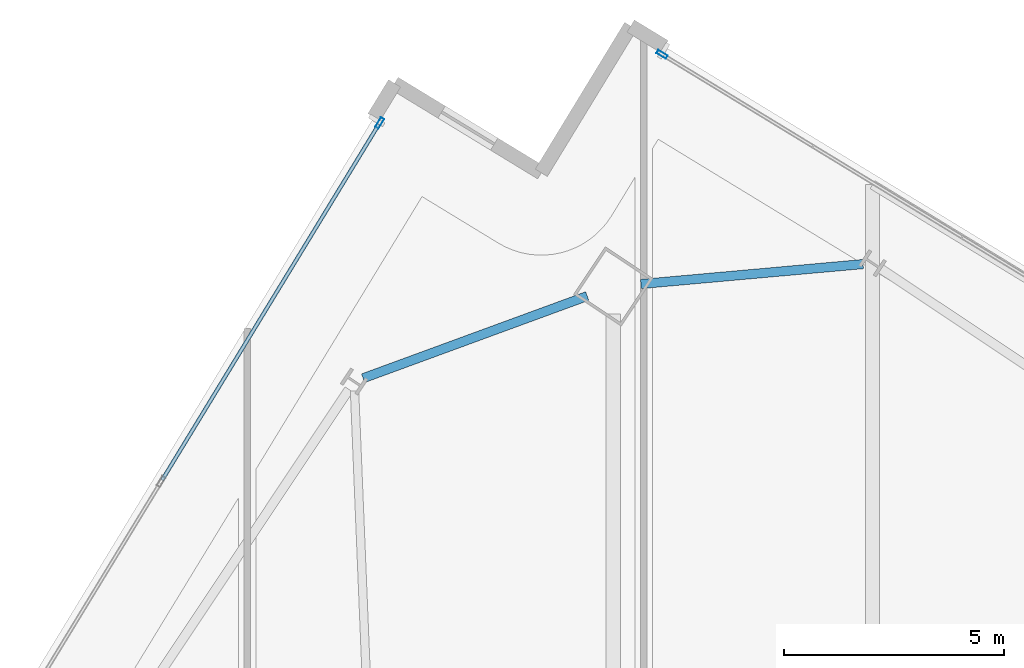
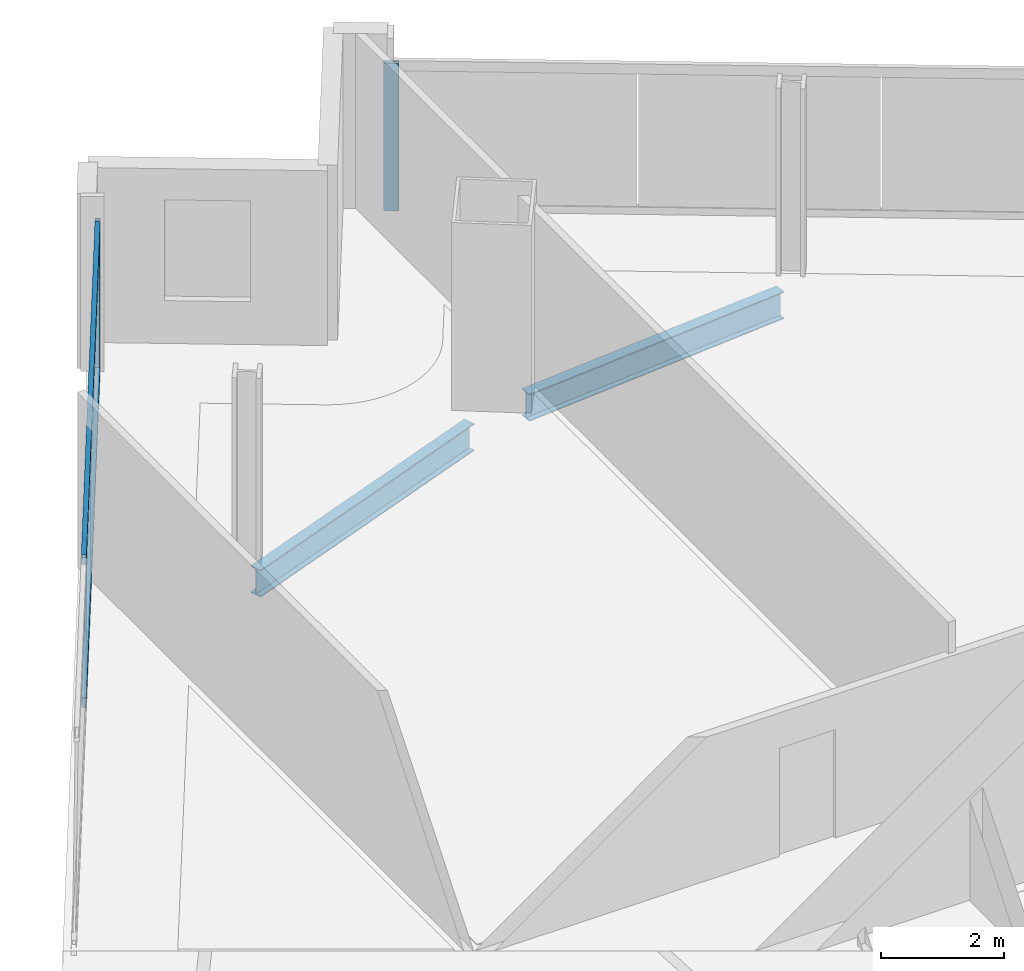
# One storey, part 15 of 28: 4 members, 2 beams, 2 elements without a shape of their own.
"""IFC4 building model written with IfcOpenShell, lengths in metres."""

import ifcopenshell
import ifcopenshell.guid

model = None  # the IFC model being written
_history = None  # IfcOwnerHistory: only IFC2X3 demands one
_inside = {}  # id of a spatial element -> (the spatial element, [elements in it])
_under = {}  # id of a project, library or spatial element -> (it, [spatial elements below it])
_declared = {}  # id of a project -> (the project, [libraries it declares])
_typed = {}  # id of a type object -> (the type object, [elements of that type])
_made_of = {}  # id of a material, layer set ... -> (it, [elements and type objects made of it])


def new_model(schema):
    """Start an empty IFC model of exactly this schema.

    Asked for "IFC4X3", IfcOpenShell would pick the latest addendum, in which some entities
    have other attributes; the version numbers below select the first issue.
    IFC2X3 requires an IfcOwnerHistory on every rooted entity: one is made here for all.
    """
    global model, _history
    if schema == "IFC4X3":
        model = ifcopenshell.file(schema_version=(4, 3, 0, 0))
    else:
        model = ifcopenshell.file(schema=schema)
    _inside.clear()
    _under.clear()
    _declared.clear()
    _typed.clear()
    _made_of.clear()
    _history = None
    if model.schema == "IFC2X3":
        org = make("IfcOrganization", Name="unknown")
        user = make(
            "IfcPersonAndOrganization",
            ThePerson=make("IfcPerson", FamilyName="unknown"),
            TheOrganization=org,
        )
        app = make(
            "IfcApplication",
            ApplicationDeveloper=org,
            Version="unknown",
            ApplicationFullName="unknown",
            ApplicationIdentifier="unknown",
        )
        _history = make(
            "IfcOwnerHistory",
            OwningUser=user,
            OwningApplication=app,
            ChangeAction="ADDED",
            CreationDate=0,
        )
    return model


def make(cls, **values):
    """One entity of the class cls with the attributes given. An attribute that is None is left unset."""
    return model.create_entity(
        cls, **{name: value for name, value in values.items() if value is not None}
    )


def rooted(cls, **values):
    """An entity with a GlobalId (a new one), such as an element, a storey or a relation."""
    return make(cls, GlobalId=ifcopenshell.guid.new(), OwnerHistory=_history, **values)


def si_unit(unit_type, name, prefix=None):
    """IfcSIUnit, for example si_unit("LENGTHUNIT", "METRE", prefix="MILLI")."""
    return make("IfcSIUnit", UnitType=unit_type, Prefix=prefix, Name=name)


def assignment(units):
    """IfcUnitAssignment: the units of a project."""
    return None if units is None else make("IfcUnitAssignment", Units=units)


def point(xyz):
    """IfcCartesianPoint."""
    return None if xyz is None else make("IfcCartesianPoint", Coordinates=xyz)


def direction(xyz):
    """IfcDirection."""
    return None if xyz is None else make("IfcDirection", DirectionRatios=xyz)


def frame(location, z_axis=None, x_axis=None):
    """IfcAxis2Placement3D, a coordinate frame: its origin and axes. An axis left out is left unset."""
    return make(
        "IfcAxis2Placement3D",
        Location=point(location),
        Axis=direction(z_axis),
        RefDirection=direction(x_axis),
    )


def frame_2d(location, x_axis=None):
    """IfcAxis2Placement2D, a coordinate frame in the plane: its origin and x axis."""
    return make(
        "IfcAxis2Placement2D", Location=point(location), RefDirection=direction(x_axis)
    )


def origin():
    """The frame at (0, 0, 0) with its axes left unset."""
    return frame((0.0, 0.0, 0.0))


def origin_2d():
    """The frame at (0, 0) in the plane with its x axis left unset."""
    return frame_2d((0.0, 0.0))


def place(relative_to, where):
    """IfcLocalPlacement: puts the frame where relative to a parent placement (None: the world)."""
    return make(
        "IfcLocalPlacement", PlacementRelTo=relative_to, RelativePlacement=where
    )


def context(
    kind, dimensions, precision=None, world=None, true_north=None, identifier=None
):
    """IfcGeometricRepresentationContext, for example the 3D "Model" context."""
    return make(
        "IfcGeometricRepresentationContext",
        ContextIdentifier=identifier,
        ContextType=kind,
        CoordinateSpaceDimension=dimensions,
        Precision=precision,
        WorldCoordinateSystem=world,
        TrueNorth=true_north,
    )


def subcontext(parent, identifier, kind, view, scale=None):
    """IfcGeometricRepresentationSubContext, for example "Body" below "Model"."""
    return make(
        "IfcGeometricRepresentationSubContext",
        ContextIdentifier=identifier,
        ContextType=kind,
        ParentContext=parent,
        TargetScale=scale,
        TargetView=view,
    )


def project(units=None, contexts=None):
    """IfcProject with its units and contexts."""
    return rooted(
        "IfcProject",
        Name="project",
        RepresentationContexts=contexts,
        UnitsInContext=assignment(units),
    )


def spatial(cls, under=None, at=None, **own):
    """A site, building, storey or space (cls), placed at a placement, below another one or the project."""
    s = rooted(cls, ObjectPlacement=at, **own)
    if under is not None:
        _under.setdefault(under.id(), (under, []))[1].append(s)
    return s


def profile(cls, at=None, kind="AREA", **sizes):
    """A parametric profile (cls). Its sizes go by their IFC names, for example OverallWidth=200.0."""
    return make(cls, ProfileType=kind, Position=at, **sizes)


def hollow_rectangle(**sizes):
    """IfcRectangleHollowProfileDef."""
    return profile("IfcRectangleHollowProfileDef", **sizes)


def i_section(**sizes):
    """IfcIShapeProfileDef."""
    return profile("IfcIShapeProfileDef", **sizes)


def extrude(swept, where, along, depth):
    """IfcExtrudedAreaSolid: the profile swept, set in the frame where, extruded along a direction by depth."""
    return make(
        "IfcExtrudedAreaSolid",
        SweptArea=swept,
        Position=where,
        ExtrudedDirection=direction(along),
        Depth=depth,
    )


def shape(context_of_items, identifier, shape_type, items):
    """IfcShapeRepresentation: the items that make up one representation, for example the "Body"."""
    return make(
        "IfcShapeRepresentation",
        ContextOfItems=context_of_items,
        RepresentationIdentifier=identifier,
        RepresentationType=shape_type,
        Items=items,
    )


def material(Name=None, Category=None):
    """IfcMaterial."""
    return make("IfcMaterial", Name=Name, Category=Category)


def material_profile(
    of_material, cross_section, Name=None, Category=None, Priority=None
):
    """IfcMaterialProfile: a cross section and its material."""
    return make(
        "IfcMaterialProfile",
        Name=Name,
        Material=of_material,
        Profile=cross_section,
        Priority=Priority,
        Category=Category,
    )


def profile_set(profiles, Name=None, composite=None):
    """IfcMaterialProfileSet."""
    return make(
        "IfcMaterialProfileSet",
        Name=Name,
        MaterialProfiles=profiles,
        CompositeProfile=composite,
    )


def made_of(thing, what):
    """Note that an element or type object is made of a material, layer set ...; save() writes the relation."""
    if what is not None:
        _made_of.setdefault(what.id(), (what, []))[1].append(thing)
    return thing


def type_object(cls, material=None, **own):
    """A type object (cls), such as IfcWallType, which elements share."""
    return made_of(rooted(cls, **own), material)


def element(
    cls,
    number,
    at=None,
    inside=None,
    cuts=None,
    type_object=None,
    material=None,
    context=None,
    identifier="Body",
    shape_type=None,
    held_by="IfcProductDefinitionShape",
    body=None,
    shapes=None,
    **own,
):
    """One element of the class cls, such as IfcWall. Its Tag is "e" and its number.

    at: its placement. inside: the storey or other place that contains it. cuts: it is an
    opening in that element (IfcRelVoidsElement). A single representation is given by context,
    identifier, shape_type and body (its items); several are given by shapes. held_by: the class
    of the entity that holds the representations. save() writes the other relations.
    """
    e = rooted(cls, Tag="e%d" % number, ObjectPlacement=at, **own)
    if body is not None:
        shapes = [shape(context, identifier, shape_type, body)]
    if shapes is not None:
        e.Representation = make(held_by, Representations=shapes)
    if inside is not None:
        _inside.setdefault(inside.id(), (inside, []))[1].append(e)
    if cuts is not None:
        rooted(
            "IfcRelVoidsElement", RelatingBuildingElement=cuts, RelatedOpeningElement=e
        )
    if type_object is not None:
        _typed.setdefault(type_object.id(), (type_object, []))[1].append(e)
    return made_of(e, material)


def aggregate(whole, parts):
    """IfcRelAggregates: a whole, such as a stair, and the parts it consists of."""
    return rooted("IfcRelAggregates", RelatingObject=whole, RelatedObjects=parts)


def save(model, path):
    """Write the relations noted so far, then the file.

    IfcRelAggregates (storeys below a building ...), IfcRelContainedInSpatialStructure (elements
    in a storey), IfcRelDefinesByType, IfcRelAssociatesMaterial and IfcRelDeclares: one each for
    every whole, place, type object, material and project.
    """
    for whole, parts in _under.values():
        aggregate(whole, parts)
    for where, things in _inside.values():
        rooted(
            "IfcRelContainedInSpatialStructure",
            RelatedElements=things,
            RelatingStructure=where,
        )
    for kind, things in _typed.values():
        rooted("IfcRelDefinesByType", RelatedObjects=things, RelatingType=kind)
    for what, things in _made_of.values():
        rooted("IfcRelAssociatesMaterial", RelatedObjects=things, RelatingMaterial=what)
    for by, libraries in _declared.values():
        rooted("IfcRelDeclares", RelatingContext=by, RelatedDefinitions=libraries)
    model.write(path)


model = new_model("IFC4")

# Units and contexts
model_context = context("Model", 3, precision=1e-05, world=origin(), true_north=direction((0.0, 1.0)))
body_context = subcontext(model_context, "Body", "Model", "MODEL_VIEW")
ifc_project = project(units=[si_unit("LENGTHUNIT", "METRE"), si_unit("AREAUNIT", "SQUARE_METRE"), si_unit("VOLUMEUNIT", "CUBIC_METRE"), si_unit("PLANEANGLEUNIT", "RADIAN"), si_unit("MASSUNIT", "GRAM", prefix="KILO")], contexts=[model_context])

# Site, building, storey
site_placement = place(None, origin())
site = spatial("IfcSite", under=ifc_project, at=site_placement, CompositionType="ELEMENT")
building_placement = place(site_placement, origin())
building = spatial("IfcBuilding", under=site, at=building_placement, Name="Haldenkirk Collegiate Tower", CompositionType="ELEMENT")
storey_placement = place(building_placement, frame((0.0, 0.0, 224.699951171875)))
storey = spatial("IfcBuildingStorey", under=building, at=storey_placement, Name="L56", CompositionType="ELEMENT", Elevation=224.699951171875)

# Beams
ifc_material_1 = material(Name="Steel ASTM A992 Grade 50", Category="steel")
ifc_material_profile_1 = material_profile(ifc_material_1, i_section(OverallWidth=0.2099609375, OverallDepth=0.537109375, WebThickness=0.010986328125, FlangeThickness=0.017333984375, at=origin_2d()), Name="W21X68")
ifc_profile_set_1 = profile_set([ifc_material_profile_1], Name="Steel ASTM A992 Grade 50")
beam_type = type_object("IfcBeamType", Name="BM-SPANDREL-W21X68", PredefinedType="SPANDREL", material=ifc_profile_set_1)
beam_1_placement = place(storey_placement, frame((37.9765625, 50.649169921875, -0.54833984375), z_axis=(-0.996001224794, -0.089339578066, 0.0), x_axis=(0.089339578066, -0.996001224794, 0.0)))
element("IfcBeam", 1, at=beam_1_placement, inside=storey, type_object=beam_type, Name="L56 perimeter spandrel beam 08", PredefinedType="SPANDREL", context=body_context, shape_type="SweptSolid", body=[
    extrude(i_section(OverallWidth=0.2099609375, OverallDepth=0.537109375, WebThickness=0.010986328125, FlangeThickness=0.017333984375, at=origin_2d()), origin(), (0.0, 0.0, 1.0), 5.06103515625),
])
beam_2_placement = place(storey_placement, frame((31.716796875, 49.923828125, -0.54833984375), z_axis=(-0.938842319963, -0.344347351153, 0.0), x_axis=(0.344347351153, -0.938842319963, 0.0)))
element("IfcBeam", 2, at=beam_2_placement, inside=storey, type_object=beam_type, Name="L56 perimeter spandrel beam 09", PredefinedType="SPANDREL", context=body_context, shape_type="SweptSolid", body=[
    extrude(i_section(OverallWidth=0.2099609375, OverallDepth=0.537109375, WebThickness=0.010986328125, FlangeThickness=0.017333984375, at=origin_2d()), origin(), (0.0, 0.0, 1.0), 5.416748046875),
])

# Curtain wall, member
ifc_material_2 = material(Name="Anodised architectural bronze aluminium", Category="aluminium")
curtain_wall_type = type_object("IfcCurtainWallType", Name="CW-SYS1B-CONVEX-HI", PredefinedType="USERDEFINED", material=ifc_material_2)
curtain_wall_1_placement = place(storey_placement, origin())
curtain_wall_1 = element("IfcCurtainWall", 3, at=curtain_wall_1_placement, inside=storey, type_object=curtain_wall_type, Name="L56 Upper tower high-wind convex bronze unitised curtain wall", ObjectType="UNITISED CURTAIN WALL", PredefinedType="USERDEFINED")
ifc_material_profile_2 = material_profile(ifc_material_2, hollow_rectangle(XDim=0.0849609375, YDim=0.25, WallThickness=0.0048828125, at=origin_2d()), Name="CW-MUL-1B")
ifc_profile_set_2 = profile_set([ifc_material_profile_2], Name="Anodised architectural bronze aluminium")
member_type_1 = type_object("IfcMemberType", Name="CW-MUL-1B", PredefinedType="MULLION", material=ifc_profile_set_2)
member_1_placement = place(storey_placement, frame((33.415283203125, 55.408203125, 0.0), z_axis=(0.0, 0.0, 1.0), x_axis=(0.520264898994, 0.854004938437, 0.0)))
member_1 = element("IfcMember", 4, at=member_1_placement, type_object=member_type_1, Name="CW-1B mullion 1", PredefinedType="MULLION", context=body_context, shape_type="SweptSolid", body=[
    extrude(hollow_rectangle(XDim=0.0849609375, YDim=0.25, WallThickness=0.0048828125, at=origin_2d()), origin(), (0.0, 0.0, 1.0), 2.927978515625),
])
aggregate(curtain_wall_1, [member_1])

# Curtain wall, members
curtain_wall_2_placement = place(storey_placement, origin())
curtain_wall_2 = element("IfcCurtainWall", 5, at=curtain_wall_2_placement, inside=storey, type_object=curtain_wall_type, Name="L56 Upper tower high-wind convex bronze unitised curtain wall", ObjectType="UNITISED CURTAIN WALL", PredefinedType="USERDEFINED")
member_2_placement = place(storey_placement, frame((27.007568359375, 53.852294921875, 0.0), z_axis=(0.0, 0.0, 1.0), x_axis=(-0.854004384454, 0.520265808345, 0.0)))
member_2 = element("IfcMember", 6, at=member_2_placement, type_object=member_type_1, Name="CW-1B mullion 5", PredefinedType="MULLION", context=body_context, shape_type="SweptSolid", body=[
    extrude(hollow_rectangle(XDim=0.0849609375, YDim=0.25, WallThickness=0.0048828125, at=origin_2d()), origin(), (0.0, 0.0, 1.0), 2.927978515625),
])
ifc_material_profile_3 = material_profile(ifc_material_2, hollow_rectangle(XDim=0.0849609375, YDim=0.199951171875, WallThickness=0.0048828125, at=origin_2d()), Name="CW-TRN-1B")
ifc_profile_set_3 = profile_set([ifc_material_profile_3], Name="Anodised architectural bronze aluminium")
member_type_2 = type_object("IfcMemberType", Name="CW-TRN-1B", PredefinedType="USERDEFINED", material=ifc_profile_set_3)
member_3_placement = place(storey_placement, frame((22.0703125, 45.747802734375, 0.04248046875), z_axis=(0.520275653432, 0.853998386677, 0.0), x_axis=(-0.853998386677, 0.520275653432, 0.0)))
member_3 = element("IfcMember", 7, at=member_3_placement, type_object=member_type_2, Name="CW-1B transom 4.1", ObjectType="TRANSOM", PredefinedType="USERDEFINED", context=body_context, shape_type="SweptSolid", body=[
    extrude(hollow_rectangle(XDim=0.0849609375, YDim=0.199951171875, WallThickness=0.0048828125, at=origin_2d()), origin(), (0.0, 0.0, 1.0), 9.447509765625),
])
member_4_placement = place(storey_placement, frame((22.0703125, 45.747802734375, 2.885498046875), z_axis=(0.520275653432, 0.853998386677, 0.0), x_axis=(-0.853998386677, 0.520275653432, 0.0)))
member_4 = element("IfcMember", 8, at=member_4_placement, type_object=member_type_2, Name="CW-1B transom 4.2", ObjectType="TRANSOM", PredefinedType="USERDEFINED", context=body_context, shape_type="SweptSolid", body=[
    extrude(hollow_rectangle(XDim=0.0849609375, YDim=0.199951171875, WallThickness=0.0048828125, at=origin_2d()), origin(), (0.0, 0.0, 1.0), 9.447509765625),
])
aggregate(curtain_wall_2, [member_2, member_3, member_4])

save(model, "model.ifc")
